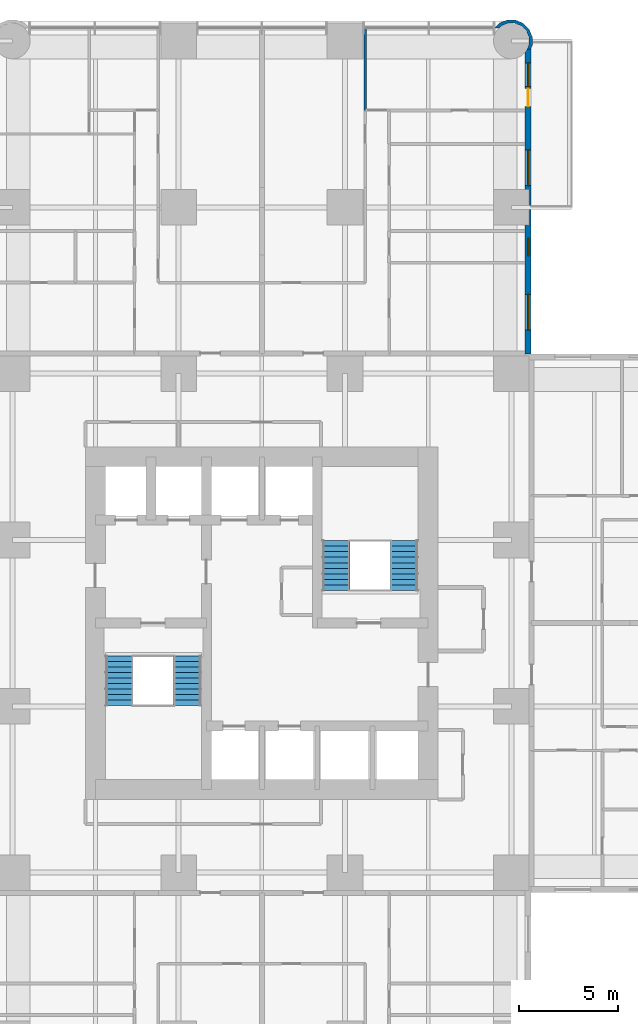
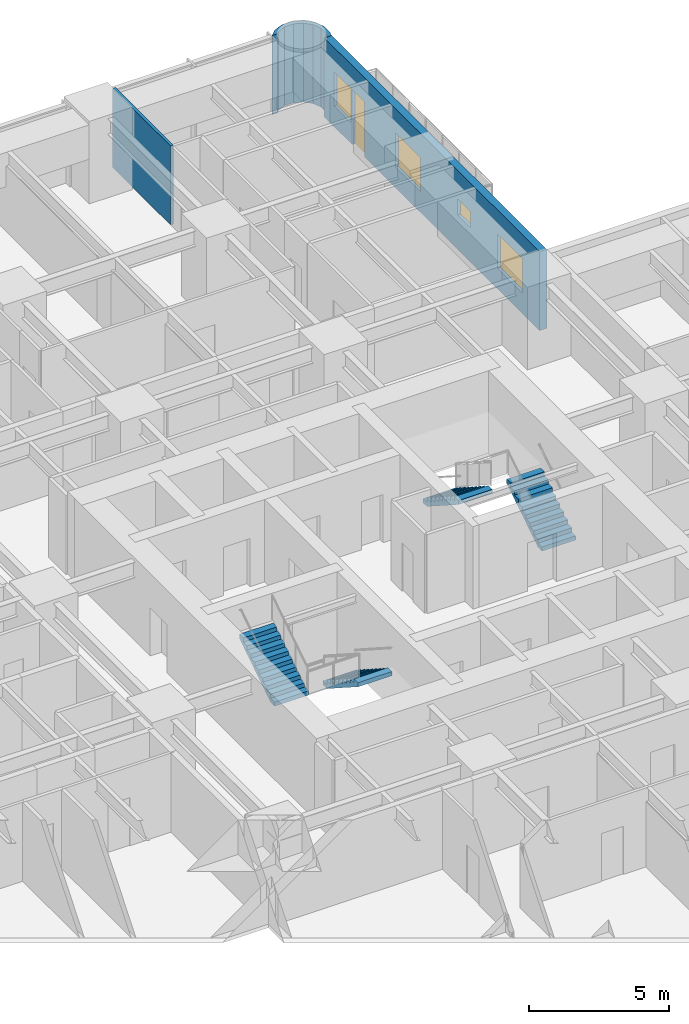
# One storey, part 15 of 17: 4 stair flights, 4 windows, 3 walls, 1 door, 5 openings, 2 elements without a shape of their own.
"""IFC4 building model written with IfcOpenShell, lengths in metres."""

from ifc_helpers import new_model, si_unit, direction, frame, frame_2d, origin, place, context, subcontext, project, spatial, polyline, rectangle, outline, extrude, material, layer, layer_set, type_object, element, fill, aggregate, save


model = new_model("IFC4")

# Units and contexts
model_context = context("Model", 3, precision=1e-05, world=origin(), true_north=direction((0.0, 1.0)))
body_context = subcontext(model_context, "Body", "Model", "MODEL_VIEW")
ifc_project = project(units=[si_unit("LENGTHUNIT", "METRE"), si_unit("AREAUNIT", "SQUARE_METRE"), si_unit("VOLUMEUNIT", "CUBIC_METRE"), si_unit("PLANEANGLEUNIT", "RADIAN"), si_unit("MASSUNIT", "GRAM", prefix="KILO")], contexts=[model_context])

# Site, building, storey
site_placement = place(None, origin())
site = spatial("IfcSite", under=ifc_project, at=site_placement, CompositionType="ELEMENT")
building_placement = place(site_placement, origin())
building = spatial("IfcBuilding", under=site, at=building_placement, Name="Torre Alcanfor", CompositionType="ELEMENT")
storey_placement = place(building_placement, frame((0.0, 0.0, 81.300048828125)))
storey = spatial("IfcBuildingStorey", under=building, at=storey_placement, Name="L20", CompositionType="ELEMENT", Elevation=81.300048828125)

# Wall
ifc_material_1 = material(Name="Gypsum board on steel studs", Category="steel")
ifc_layer_1 = layer(ifc_material_1, 0.1201171875)
ifc_layer_set_1 = layer_set([ifc_layer_1], Name="Apartment partition 120")
wall_type_1 = type_object("IfcWallType", Name="Apartment partition 120", PredefinedType="PARTITIONING", material=ifc_layer_set_1)
wall_1_placement = place(storey_placement, frame((34.62890625, 59.449951171875, 0.0), z_axis=(0.0, 0.0, 1.0), x_axis=(0.0, -1.0, 0.0)))
element("IfcWall", 1, at=wall_1_placement, inside=storey, type_object=wall_type_1, Name="Partition L20-N2-LIVING / L20-N2-MASTER", PredefinedType="PARTITIONING", context=body_context, shape_type="SweptSolid", body=[
    extrude(rectangle(XDim=4.14990234375, YDim=0.1201171875, at=frame_2d((2.074951171875, 0.0))), origin(), (0.0, 0.0, 1.0), 3.449951171875),
])

# Wall, openings, door, windows
ifc_material_2 = material(Name="Limestone cladding", Category="masonry")
ifc_layer_2 = layer(ifc_material_2, 0.0400390625, Name="Facing")
ifc_material_3 = material(Name="Ventilated air cavity")
ifc_layer_3 = layer(ifc_material_3, 0.02001953125, ventilated=True, Name="Ventilated joint")
ifc_material_4 = material(Name="Mineral wool insulation", Category="insulation")
ifc_layer_4 = layer(ifc_material_4, 0.10009765625, Name="Insulation")
ifc_material_5 = material(Name="Concrete f'c 35 MPa", Category="concrete")
ifc_layer_5 = layer(ifc_material_5, 0.139892578125, Name="Backing")
ifc_layer_set_2 = layer_set([ifc_layer_2, ifc_layer_3, ifc_layer_4, ifc_layer_5], Name="External wall stone-clad 300")
wall_type_2 = type_object("IfcWallType", Name="External wall stone-clad 300", PredefinedType="SOLIDWALL", material=ifc_layer_set_2)
wall_2_placement = place(storey_placement, frame((42.85009765625, 43.0, 0.0), z_axis=(0.0, 0.0, 1.0), x_axis=(0.0, 1.0, 0.0)))
wall_2 = element("IfcWall", 2, at=wall_2_placement, inside=storey, type_object=wall_type_2, Name="External wall L20 10", PredefinedType="SOLIDWALL", context=body_context, shape_type="SweptSolid", body=[
    extrude(rectangle(XDim=15.39990234375, YDim=0.300048828125, at=frame_2d((7.699951171875, 0.0))), origin(), (0.0, 0.0, 1.0), 3.449951171875),
])
opening_1_placement = place(wall_2_placement, frame((1.199951171875, 0.0, 0.89990234375)))
opening_1 = element("IfcOpeningElement", 3, at=opening_1_placement, cuts=wall_2, Name="Opening W2", PredefinedType="OPENING", context=body_context, shape_type="SweptSolid", body=[
    extrude(rectangle(XDim=1.800048828125, YDim=1.5, at=frame_2d((0.89990234375, 0.75))), frame((0.0, 0.159912109375, 0.0), z_axis=(0.0, -1.0, 0.0), x_axis=(1.0, 0.0, 0.0)), (0.0, 0.0, 1.0), 0.320068359375),
])
opening_2_placement = place(wall_2_placement, frame((4.949951171875, 0.0, 1.5)))
opening_2 = element("IfcOpeningElement", 4, at=opening_2_placement, cuts=wall_2, Name="Opening W3", PredefinedType="OPENING", context=body_context, shape_type="SweptSolid", body=[
    extrude(rectangle(XDim=0.89990234375, YDim=0.699951171875, at=frame_2d((0.449951171875, 0.35009765625))), frame((0.0, 0.159912109375, 0.0), z_axis=(0.0, -1.0, 0.0), x_axis=(1.0, 0.0, 0.0)), (0.0, 0.0, 1.0), 0.320068359375),
])
opening_3_placement = place(wall_2_placement, frame((8.5, 0.0, 0.89990234375)))
opening_3 = element("IfcOpeningElement", 5, at=opening_3_placement, cuts=wall_2, Name="Opening W2", PredefinedType="OPENING", context=body_context, shape_type="SweptSolid", body=[
    extrude(rectangle(XDim=1.800048828125, YDim=1.5, at=frame_2d((0.89990234375, 0.75))), frame((0.0, 0.159912109375, 0.0), z_axis=(0.0, -1.0, 0.0), x_axis=(1.0, 0.0, 0.0)), (0.0, 0.0, 1.0), 0.320068359375),
])
opening_4_placement = place(wall_2_placement, frame((12.5, 0.0, 0.0)))
opening_4 = element("IfcOpeningElement", 6, at=opening_4_placement, cuts=wall_2, Name="Opening D-B1", PredefinedType="OPENING", context=body_context, shape_type="SweptSolid", body=[
    extrude(rectangle(XDim=0.89990234375, YDim=2.39990234375, at=frame_2d((0.449951171875, 1.199951171875))), frame((0.0, 0.159912109375, 0.0), z_axis=(0.0, -1.0, 0.0), x_axis=(1.0, 0.0, 0.0)), (0.0, 0.0, 1.0), 0.320068359375),
])
opening_5_placement = place(wall_2_placement, frame((13.5, 0.0, 0.89990234375)))
opening_5 = element("IfcOpeningElement", 7, at=opening_5_placement, cuts=wall_2, Name="Opening W4", PredefinedType="OPENING", context=body_context, shape_type="SweptSolid", body=[
    extrude(rectangle(XDim=1.199951171875, YDim=1.5, at=frame_2d((0.60009765625, 0.75))), frame((0.0, 0.159912109375, 0.0), z_axis=(0.0, -1.0, 0.0), x_axis=(1.0, 0.0, 0.0)), (0.0, 0.0, 1.0), 0.320068359375),
])
ifc_material_6 = material(Name="Aluminium and glass", Category="aluminium")
door_type = type_object("IfcDoorType", Name="Balcony door glazed 900x2400", OperationType="SINGLE_SWING_LEFT", PredefinedType="DOOR", material=ifc_material_6)
door_placement = place(opening_4_placement, origin())
door = element("IfcDoor", 8, at=door_placement, inside=storey, type_object=door_type, Name="Balcony door L20-N2", OperationType="SINGLE_SWING_LEFT", OverallHeight=2.39990234375, OverallWidth=0.89990234375, PredefinedType="DOOR", context=body_context, shape_type="SweptSolid", body=[
    extrude(rectangle(XDim=0.89990234375, YDim=2.39990234375, at=frame_2d((0.449951171875, 1.199951171875))), frame((0.0, 0.02490234375, 0.0), z_axis=(0.0, -1.0, 0.0), x_axis=(1.0, 0.0, 0.0)), (0.0, 0.0, 1.0), 0.050048828125),
])
fill(opening_4, door)
ifc_material_7 = material(Name="Aluminium frame with clear double glazing", Category="aluminium")
window_type_1 = type_object("IfcWindowType", Name="Window bathroom 900x700", PartitioningType="SINGLE_PANEL", PredefinedType="WINDOW", material=ifc_material_7)
window_1_placement = place(opening_2_placement, origin())
window_1 = element("IfcWindow", 9, at=window_1_placement, inside=storey, type_object=window_type_1, Name="Window W3 L20-N2", OverallHeight=0.699951171875, OverallWidth=0.89990234375, PartitioningType="SINGLE_PANEL", PredefinedType="WINDOW", context=body_context, shape_type="SweptSolid", body=[
    extrude(rectangle(XDim=0.89990234375, YDim=0.699951171875, at=frame_2d((0.449951171875, 0.35009765625))), frame((0.0, 0.030029296875, 0.0), z_axis=(0.0, -1.0, 0.0), x_axis=(1.0, 0.0, 0.0)), (0.0, 0.0, 1.0), 0.06005859375),
])
fill(opening_2, window_1)
ifc_material_8 = material(Name="Aluminium frame with clear double glazing", Category="aluminium")
window_type_2 = type_object("IfcWindowType", Name="Window bedroom 1200x1500", PartitioningType="SINGLE_PANEL", PredefinedType="WINDOW", material=ifc_material_8)
window_2_placement = place(opening_5_placement, origin())
window_2 = element("IfcWindow", 10, at=window_2_placement, inside=storey, type_object=window_type_2, Name="Window W4 L20-N2", OverallHeight=1.5, OverallWidth=1.199951171875, PartitioningType="SINGLE_PANEL", PredefinedType="WINDOW", context=body_context, shape_type="SweptSolid", body=[
    extrude(rectangle(XDim=1.199951171875, YDim=1.5, at=frame_2d((0.60009765625, 0.75))), frame((0.0, 0.030029296875, 0.0), z_axis=(0.0, -1.0, 0.0), x_axis=(1.0, 0.0, 0.0)), (0.0, 0.0, 1.0), 0.06005859375),
])
fill(opening_5, window_2)
ifc_material_9 = material(Name="Aluminium frame with clear double glazing", Category="aluminium")
window_type_3 = type_object("IfcWindowType", Name="Window bedroom 1800x1500", PartitioningType="SINGLE_PANEL", PredefinedType="WINDOW", material=ifc_material_9)
window_3_placement = place(opening_1_placement, origin())
window_3 = element("IfcWindow", 11, at=window_3_placement, inside=storey, type_object=window_type_3, Name="Window W2 L20-N2", OverallHeight=1.5, OverallWidth=1.800048828125, PartitioningType="SINGLE_PANEL", PredefinedType="WINDOW", context=body_context, shape_type="SweptSolid", body=[
    extrude(rectangle(XDim=1.800048828125, YDim=1.5, at=frame_2d((0.89990234375, 0.75))), frame((0.0, 0.030029296875, 0.0), z_axis=(0.0, -1.0, 0.0), x_axis=(1.0, 0.0, 0.0)), (0.0, 0.0, 1.0), 0.06005859375),
])
fill(opening_1, window_3)
window_4_placement = place(opening_3_placement, origin())
window_4 = element("IfcWindow", 12, at=window_4_placement, inside=storey, type_object=window_type_3, Name="Window W2 L20-N2", OverallHeight=1.5, OverallWidth=1.800048828125, PartitioningType="SINGLE_PANEL", PredefinedType="WINDOW", context=body_context, shape_type="SweptSolid", body=[
    extrude(rectangle(XDim=1.800048828125, YDim=1.5, at=frame_2d((0.89990234375, 0.75))), frame((0.0, 0.030029296875, 0.0), z_axis=(0.0, -1.0, 0.0), x_axis=(1.0, 0.0, 0.0)), (0.0, 0.0, 1.0), 0.06005859375),
])
fill(opening_3, window_4)

# Wall
ifc_layer_6 = layer(ifc_material_2, 0.0400390625, Name="Facing")
ifc_layer_7 = layer(ifc_material_3, 0.02001953125, ventilated=True, Name="Ventilated joint")
ifc_layer_8 = layer(ifc_material_4, 0.10009765625, Name="Insulation")
ifc_layer_9 = layer(ifc_material_5, 0.139892578125, Name="Backing")
ifc_layer_set_3 = layer_set([ifc_layer_6, ifc_layer_7, ifc_layer_8, ifc_layer_9], Name="Rounded corner pier stone-clad 300")
wall_type_3 = type_object("IfcWallType", Name="Rounded corner pier stone-clad 300", PredefinedType="SOLIDWALL", material=ifc_layer_set_3)
wall_3_placement = place(storey_placement, frame((42.909907157, 58.436037137, 0.0), z_axis=(0.0, 0.0, 1.0), x_axis=(0.377204953059, 0.926129809145, 0.0)))
element("IfcWall", 13, at=wall_3_placement, inside=storey, type_object=wall_type_3, Name="Corner pier L20 19", PredefinedType="SOLIDWALL", context=body_context, shape_type="SweptSolid", body=[
    extrude(outline(polyline([(0.7691852559267269, 1.7275655888693722), (0.7500837815089341, 1.7226854696447296), (0.5995184426781746, 1.8748886632921522), (0.2945936606603473, 2.0035010026328943), (0.2810273060341947, 1.997975539453316), (0.36031770266114094, 1.803298350568026), (0.5085974876189833, 1.7408474269996308), (0.7606365681954048, 1.4857768783201941), (0.8958262339890831, 1.1538534018003268), (0.8937222712355792, 0.7952725095567933), (0.7546148492098406, 0.46498406151765126), (0.499678315387847, 0.21326317790465843), (0.16775483886797962, 0.07807351211098004), (-0.09987659960761772, 0.07952365190173498), (0.0005179574386563676, -0.09706789048462287), (0.030062934124933945, -0.08028941878374739), (0.19840443706273136, -0.08131937838229769), (0.5888893443854909, 0.07772187013655965), (0.888882191412798, 0.3741551975114527), (1.0524222412975957, 0.7628997957685094), (1.0551270334293679, 1.1847291059055145), (0.8961778759635035, 1.5749879073178383), (0.7777318237989179, 1.6949314401857838), (0.7691852559267269, 1.7275655888693722)])), origin(), (0.0, 0.0, 1.0), 3.449951171875),
])

# Stair, stair flights
ifc_material_10 = material(Name="Concrete f'c 35 MPa", Category="concrete")
stair_type_1 = type_object("IfcStairType", Name="Exit stair S1 1400 wide", PredefinedType="HALF_TURN_STAIR", material=ifc_material_10)
stair_1_placement = place(storey_placement, origin())
stair_1 = element("IfcStair", 14, at=stair_1_placement, inside=storey, type_object=stair_type_1, Name="Stair S1 L20 to L21", PredefinedType="HALF_TURN_STAIR")
ifc_material_11 = material(Name="Concrete f'c 35 MPa", Category="concrete")
stair_flight_type = type_object("IfcStairFlightType", Name="Stair flight 1400", PredefinedType="STRAIGHT", material=ifc_material_11)
stair_flight_1_placement = place(storey_placement, frame((25.64990234375, 27.75, 0.0), z_axis=(0.0, 0.0, 1.0), x_axis=(0.0, -1.0, 0.0)))
stair_flight_1 = element("IfcStairFlight", 15, at=stair_flight_1_placement, type_object=stair_flight_type, Name="S1 flight 1", NumberOfRisers=10, NumberOfTreads=9, PredefinedType="STRAIGHT", RiserHeight=0.18, TreadLength=0.28, context=body_context, shape_type="SweptSolid", body=[
    extrude(outline(polyline([(0.0, 0.0), (0.0, 0.179931640625), (0.280029296875, 0.179931640625), (0.280029296875, 0.360107421875), (0.56005859375, 0.360107421875), (0.56005859375, 0.5400390625), (0.840087890625, 0.5400390625), (0.840087890625, 0.719970703125), (1.1201171875, 0.719970703125), (1.1201171875, 0.89990234375), (1.39990234375, 0.89990234375), (1.39990234375, 1.080078125), (1.679931640625, 1.080078125), (1.679931640625, 1.260009765625), (1.9599609375, 1.260009765625), (1.9599609375, 1.43994140625), (2.239990234375, 1.43994140625), (2.239990234375, 1.6201171875), (2.52001953125, 1.6201171875), (2.52001953125, 1.800048828125), (2.52001953125, 1.44189453125), (0.277099609375, 0.0), (0.0, 0.0)])), frame((0.0, 0.699951171875, 0.0), z_axis=(0.0, -1.0, 0.0), x_axis=(1.0, 0.0, 0.0)), (0.0, 0.0, 1.0), 1.39990234375),
])
stair_flight_2_placement = place(storey_placement, frame((22.199951171875, 25.22998046875, 1.800048828125), z_axis=(0.0, 0.0, 1.0), x_axis=(0.0, 1.0, 0.0)))
stair_flight_2 = element("IfcStairFlight", 16, at=stair_flight_2_placement, type_object=stair_flight_type, Name="S1 flight 2", NumberOfRisers=10, NumberOfTreads=9, PredefinedType="STRAIGHT", RiserHeight=0.18, TreadLength=0.28, context=body_context, shape_type="SweptSolid", body=[
    extrude(outline(polyline([(0.0, 0.0), (0.0, 0.179931640625), (0.280029296875, 0.179931640625), (0.280029296875, 0.360107421875), (0.56005859375, 0.360107421875), (0.56005859375, 0.5400390625), (0.840087890625, 0.5400390625), (0.840087890625, 0.719970703125), (1.1201171875, 0.719970703125), (1.1201171875, 0.89990234375), (1.39990234375, 0.89990234375), (1.39990234375, 1.080078125), (1.679931640625, 1.080078125), (1.679931640625, 1.260009765625), (1.9599609375, 1.260009765625), (1.9599609375, 1.43994140625), (2.239990234375, 1.43994140625), (2.239990234375, 1.6201171875), (2.52001953125, 1.6201171875), (2.52001953125, 1.800048828125), (2.52001953125, 1.44189453125), (0.277099609375, 0.0), (0.0, 0.0)])), frame((0.0, 0.699951171875, 0.0), z_axis=(0.0, -1.0, 0.0), x_axis=(1.0, 0.0, 0.0)), (0.0, 0.0, 1.0), 1.39990234375),
])
aggregate(stair_1, [stair_flight_1, stair_flight_2])

ifc_material_12 = material(Name="Concrete f'c 35 MPa", Category="concrete")
stair_type_2 = type_object("IfcStairType", Name="Exit stair S2 1400 wide", PredefinedType="HALF_TURN_STAIR", material=ifc_material_12)
stair_2_placement = place(storey_placement, origin())
stair_2 = element("IfcStair", 17, at=stair_2_placement, inside=storey, type_object=stair_type_2, Name="Stair S2 L20 to L21", PredefinedType="HALF_TURN_STAIR")
stair_flight_3_placement = place(storey_placement, frame((36.60009765625, 31.050048828125, 0.0), z_axis=(0.0, 0.0, 1.0), x_axis=(0.0, 1.0, 0.0)))
stair_flight_3 = element("IfcStairFlight", 18, at=stair_flight_3_placement, type_object=stair_flight_type, Name="S2 flight 1", NumberOfRisers=10, NumberOfTreads=9, PredefinedType="STRAIGHT", RiserHeight=0.18, TreadLength=0.28, context=body_context, shape_type="SweptSolid", body=[
    extrude(outline(polyline([(0.0, 0.0), (0.0, 0.179931640625), (0.280029296875, 0.179931640625), (0.280029296875, 0.360107421875), (0.56005859375, 0.360107421875), (0.56005859375, 0.5400390625), (0.840087890625, 0.5400390625), (0.840087890625, 0.719970703125), (1.1201171875, 0.719970703125), (1.1201171875, 0.89990234375), (1.39990234375, 0.89990234375), (1.39990234375, 1.080078125), (1.679931640625, 1.080078125), (1.679931640625, 1.260009765625), (1.9599609375, 1.260009765625), (1.9599609375, 1.43994140625), (2.239990234375, 1.43994140625), (2.239990234375, 1.6201171875), (2.52001953125, 1.6201171875), (2.52001953125, 1.800048828125), (2.52001953125, 1.44189453125), (0.277099609375, 0.0), (0.0, 0.0)])), frame((0.0, 0.699951171875, 0.0), z_axis=(0.0, -1.0, 0.0), x_axis=(1.0, 0.0, 0.0)), (0.0, 0.0, 1.0), 1.39990234375),
])
stair_flight_4_placement = place(storey_placement, frame((33.14990234375, 33.570068359375, 1.800048828125), z_axis=(0.0, 0.0, 1.0), x_axis=(0.0, -1.0, 0.0)))
stair_flight_4 = element("IfcStairFlight", 19, at=stair_flight_4_placement, type_object=stair_flight_type, Name="S2 flight 2", NumberOfRisers=10, NumberOfTreads=9, PredefinedType="STRAIGHT", RiserHeight=0.18, TreadLength=0.28, context=body_context, shape_type="SweptSolid", body=[
    extrude(outline(polyline([(0.0, 0.0), (0.0, 0.179931640625), (0.280029296875, 0.179931640625), (0.280029296875, 0.360107421875), (0.56005859375, 0.360107421875), (0.56005859375, 0.5400390625), (0.840087890625, 0.5400390625), (0.840087890625, 0.719970703125), (1.1201171875, 0.719970703125), (1.1201171875, 0.89990234375), (1.39990234375, 0.89990234375), (1.39990234375, 1.080078125), (1.679931640625, 1.080078125), (1.679931640625, 1.260009765625), (1.9599609375, 1.260009765625), (1.9599609375, 1.43994140625), (2.239990234375, 1.43994140625), (2.239990234375, 1.6201171875), (2.52001953125, 1.6201171875), (2.52001953125, 1.800048828125), (2.52001953125, 1.44189453125), (0.277099609375, 0.0), (0.0, 0.0)])), frame((0.0, 0.699951171875, 0.0), z_axis=(0.0, -1.0, 0.0), x_axis=(1.0, 0.0, 0.0)), (0.0, 0.0, 1.0), 1.39990234375),
])
aggregate(stair_2, [stair_flight_3, stair_flight_4])

save(model, "model.ifc")
